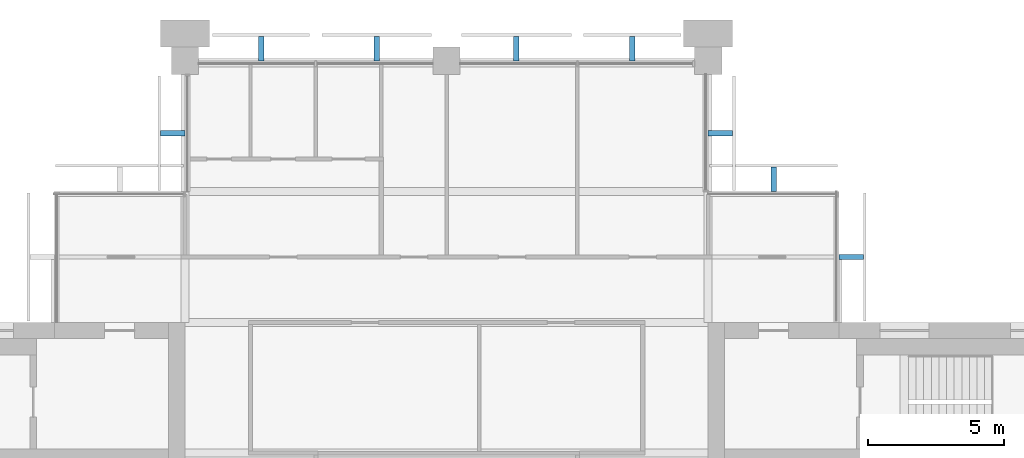
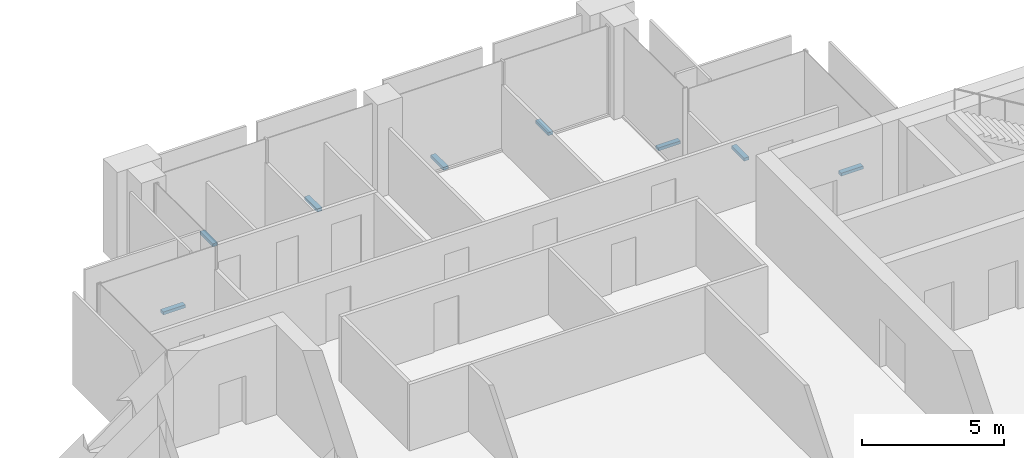
# One storey, part 12 of 13: 8 discrete accessories.
"""IFC4 building model written with IfcOpenShell, lengths in metres."""

from ifc_helpers import new_model, si_unit, direction, frame, origin, origin_2d, place, context, subcontext, project, spatial, rectangle, extrude, material, type_object, element, save


model = new_model("IFC4")

# Units and contexts
model_context = context("Model", 3, precision=1e-05, world=origin(), true_north=direction((0.0, 1.0)))
body_context = subcontext(model_context, "Body", "Model", "MODEL_VIEW")
ifc_project = project(units=[si_unit("LENGTHUNIT", "METRE"), si_unit("AREAUNIT", "SQUARE_METRE"), si_unit("VOLUMEUNIT", "CUBIC_METRE"), si_unit("PLANEANGLEUNIT", "RADIAN"), si_unit("MASSUNIT", "GRAM", prefix="KILO")], contexts=[model_context])

# Site, building, storey
site_placement = place(None, origin())
site = spatial("IfcSite", under=ifc_project, at=site_placement, CompositionType="ELEMENT")
building_placement = place(site_placement, origin())
building = spatial("IfcBuilding", under=site, at=building_placement, Name="Baori Bourse Tower", CompositionType="ELEMENT")
storey_placement = place(building_placement, frame((0.0, 0.0, 346.300048828125)))
storey = spatial("IfcBuildingStorey", under=building, at=storey_placement, Name="L77", CompositionType="ELEMENT", Elevation=346.300048828125)

# Discrete accessories
ifc_material = material(Name="Pale anodised aluminium", Category="aluminium")
discrete_accessory_type = type_object("IfcDiscreteAccessoryType", Name="OS2 Outer skin bracket", PredefinedType="BRACKET", material=ifc_material)
for number, where, z_axis, x_axis, name in (
    (1, (43.64990234375, 40.800048828125, -0.14404296875), (0.0, 0.0, 1.0), (0.0, 1.0, 0.0), "Outer skin bracket L77 1"),
    (2, (40.800048828125, 43.64990234375, -0.14404296875), (0.0, 0.0, 1.0), (-1.0, 0.0, 0.0), "Outer skin bracket L77 2"),
    (3, (38.85009765625, 45.35009765625, -0.14404296875), (0.0, 0.0, 1.0), (0.0, 1.0, 0.0), "Outer skin bracket L77 3"),
    (4, (35.612548828125, 48.449951171875, -0.14404296875), (0.0, 0.0, 1.0), (-1.0, 0.0, 0.0), "Outer skin bracket L77 4"),
    (5, (31.362548828125, 48.449951171875, -0.14404296875), (0.0, 0.0, 1.0), (-1.0, 0.0, 0.0), "Outer skin bracket L77 5"),
    (6, (26.237548828125, 48.449951171875, -0.14404296875), (0.0, 0.0, 1.0), (-1.0, 0.0, 0.0), "Outer skin bracket L77 6"),
    (7, (21.987548828125, 48.449951171875, -0.14404296875), (0.0, 0.0, 1.0), (-1.0, 0.0, 0.0), "Outer skin bracket L77 7"),
    (8, (18.75, 45.35009765625, -0.14404296875), (0.0, 0.0, 1.0), (0.0, -1.0, 0.0), "Outer skin bracket L77 8"),
):
    element("IfcDiscreteAccessory", number, at=place(storey_placement, frame(where, z_axis=z_axis, x_axis=x_axis)), inside=storey, type_object=discrete_accessory_type, Name=name, PredefinedType="BRACKET", context=body_context, shape_type="SweptSolid", body=[
        extrude(rectangle(XDim=0.199951171875, YDim=0.89990234375, at=origin_2d()), origin(), (0.0, 0.0, 1.0), 0.1279296875),
    ])

save(model, "model.ifc")
